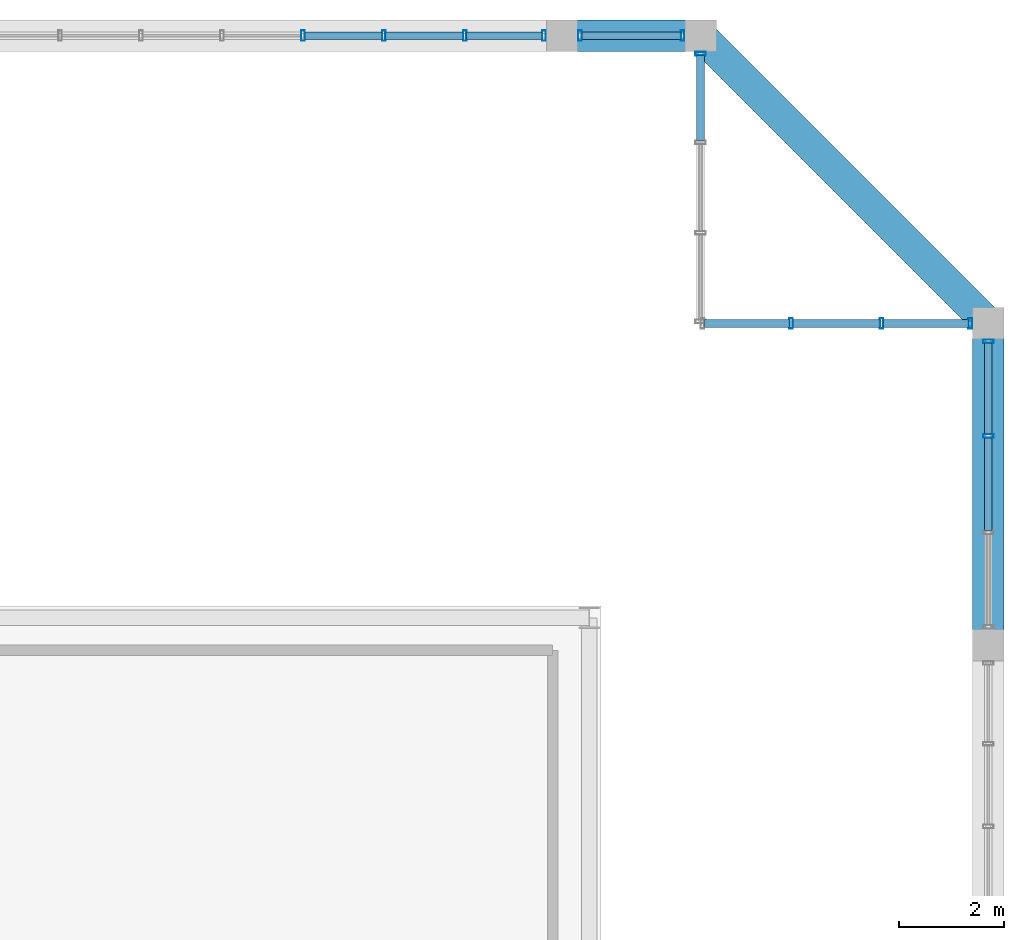
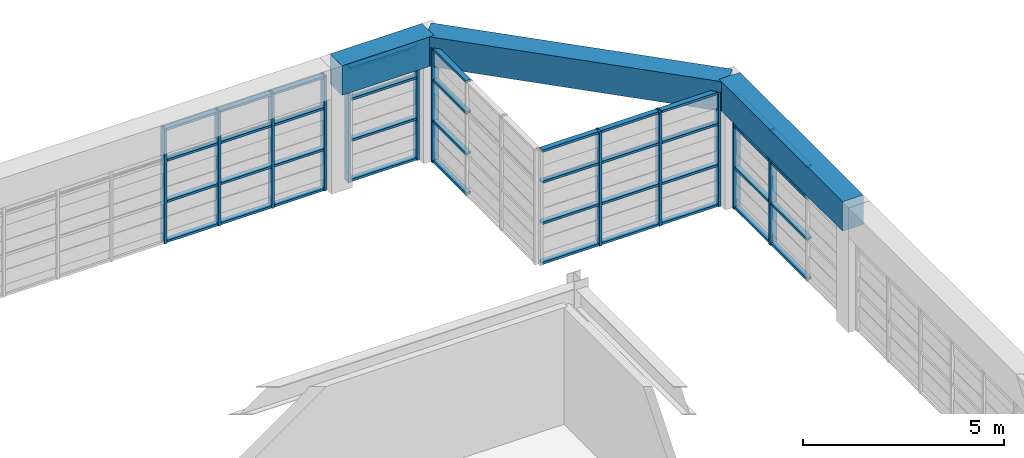
# One storey, part 19 of 27: 52 members, 3 beams, 5 elements without a shape of their own.
"""IFC4 building model written with IfcOpenShell, lengths in metres."""

from ifc_helpers import new_model, si_unit, direction, frame, origin, origin_2d, place, context, subcontext, project, spatial, rectangle, hollow_rectangle, extrude, source, transform, mapped, material, layer, layer_set, material_profile, profile_set, type_object, element, aggregate, save


model = new_model("IFC4")

# Units and contexts
model_context = context("Model", 3, precision=1e-05, world=origin(), true_north=direction((0.0, 1.0)))
body_context = subcontext(model_context, "Body", "Model", "MODEL_VIEW")
ifc_project = project(units=[si_unit("LENGTHUNIT", "METRE"), si_unit("AREAUNIT", "SQUARE_METRE"), si_unit("VOLUMEUNIT", "CUBIC_METRE"), si_unit("PLANEANGLEUNIT", "RADIAN"), si_unit("MASSUNIT", "GRAM", prefix="KILO")], contexts=[model_context])

# Site, building, storey
site_placement = place(None, origin())
site = spatial("IfcSite", under=ifc_project, at=site_placement, CompositionType="ELEMENT")
building_placement = place(site_placement, origin())
building = spatial("IfcBuilding", under=site, at=building_placement, Name="Saelheon Loggia Tower", CompositionType="ELEMENT")
storey_placement = place(building_placement, frame((0.0, 0.0, 256.0)))
storey = spatial("IfcBuildingStorey", under=building, at=storey_placement, Name="CR2", CompositionType="ELEMENT", Elevation=256.0)

# Beams
ifc_material_1 = material(Name="Precast Concrete C45/55", Category="concrete")
ifc_material_profile_1 = material_profile(ifc_material_1, rectangle(XDim=0.60009765625, YDim=0.89990234375, at=origin_2d()), Name="RC-600x900")
ifc_profile_set_1 = profile_set([ifc_material_profile_1], Name="Precast Concrete C45/55")
beam_type = type_object("IfcBeamType", Name="CrownFrame_Ring_RC600x900", PredefinedType="BEAM", material=ifc_profile_set_1)
shared_shape_1 = source(origin(), body_context, "Body", "SweptSolid", [
    extrude(rectangle(XDim=0.60009765625, YDim=0.89990234375, at=origin_2d()), origin(), (0.0, 0.0, 1.0), 2.64990234375),
])
beam_1_placement = place(storey_placement, frame((47.14990234375, 47.64990234375, 3.35009765625), z_axis=(-1.0, 0.0, 0.0), x_axis=(0.0, -1.0, 0.0)))
element("IfcBeam", 1, at=beam_1_placement, inside=storey, type_object=beam_type, Name="CR2 CROWN FRAME Ring Beam 09", PredefinedType="BEAM", context=body_context, shape_type="MappedRepresentation", body=[
    mapped(shared_shape_1, transform((0.0, 0.0, 0.0), scale=1.0)),
])
shared_shape_2 = source(origin(), body_context, "Body", "SweptSolid", [
    extrude(rectangle(XDim=0.60009765625, YDim=0.89990234375, at=origin_2d()), origin(), (0.0, 0.0, 1.0), 7.778076171875),
])
beam_2_placement = place(storey_placement, frame((52.64990234375, 42.14990234375, 3.35009765625), z_axis=(-0.707106781187, 0.707106781187, 0.0), x_axis=(-0.707106781187, -0.707106781187, 0.0)))
element("IfcBeam", 2, at=beam_2_placement, inside=storey, type_object=beam_type, Name="CR2 CROWN FRAME Ring Beam 08", PredefinedType="BEAM", context=body_context, shape_type="MappedRepresentation", body=[
    mapped(shared_shape_2, transform((0.0, 0.0, 0.0), scale=1.0)),
])
shared_shape_3 = source(origin(), body_context, "Body", "SweptSolid", [
    extrude(rectangle(XDim=0.60009765625, YDim=0.89990234375, at=origin_2d()), origin(), (0.0, 0.0, 1.0), 6.14990234375),
])
beam_3_placement = place(storey_placement, frame((52.64990234375, 36.0, 3.35009765625), z_axis=(0.0, 1.0, 0.0), x_axis=(-1.0, 0.0, 0.0)))
element("IfcBeam", 3, at=beam_3_placement, inside=storey, type_object=beam_type, Name="CR2 CROWN FRAME Ring Beam 07", PredefinedType="BEAM", context=body_context, shape_type="MappedRepresentation", body=[
    mapped(shared_shape_3, transform((0.0, 0.0, 0.0), scale=1.0)),
])

# Curtain wall, members
ifc_material_2 = material(Name="Bronze-Anodised Aluminium and Fritted Ceramic Screen", Category="aluminium")
ifc_layer = layer(ifc_material_2, 0.219970703125)
ifc_layer_set = layer_set([ifc_layer], Name="Bronze-Anodised Aluminium and Fritted Ceramic Screen")
curtain_wall_type = type_object("IfcCurtainWallType", Name="CW_CrownScreen", PredefinedType="NOTDEFINED", material=ifc_layer_set)
curtain_wall_1_placement = place(storey_placement, origin())
curtain_wall_1 = element("IfcCurtainWall", 4, at=curtain_wall_1_placement, inside=storey, type_object=curtain_wall_type, Name="CR2 Crown Screen Curtain Wall 3-3", PredefinedType="NOTDEFINED")
ifc_material_3 = material(Name="Bronze-Anodised Aluminium 6063-T6", Category="aluminium")
ifc_material_profile_2 = material_profile(ifc_material_3, hollow_rectangle(XDim=0.070068359375, YDim=0.199951171875, WallThickness=0.0048828125, at=origin_2d()), Name="RHS-200x70x5")
ifc_profile_set_2 = profile_set([ifc_material_profile_2], Name="Bronze-Anodised Aluminium 6063-T6")
member_type_1 = type_object("IfcMemberType", Name="CW_CrownScreen_Mullion", PredefinedType="MULLION", material=ifc_profile_set_2)
shared_shape_4 = source(origin(), body_context, "Body", "SweptSolid", [
    extrude(hollow_rectangle(XDim=0.070068359375, YDim=0.199951171875, WallThickness=0.0048828125, at=origin_2d()), origin(), (0.0, 0.0, 1.0), 3.47998046875),
])
member_1_placement = place(storey_placement, frame((52.64990234375, 39.99658203125, 0.0), z_axis=(0.0, 0.0, 1.0), x_axis=(0.0, 1.0, 0.0)))
member_1 = element("IfcMember", 5, at=member_1_placement, type_object=member_type_1, Name="CW6 mullion 3", PredefinedType="MULLION", context=body_context, shape_type="MappedRepresentation", body=[
    mapped(shared_shape_4, transform((0.0, 0.0, 0.0), scale=1.0)),
])
member_2_placement = place(storey_placement, frame((52.64990234375, 41.804931640625, 0.0), z_axis=(0.0, 0.0, 1.0), x_axis=(0.0, 1.0, 0.0)))
member_2 = element("IfcMember", 6, at=member_2_placement, type_object=member_type_1, Name="CW6 mullion 4", PredefinedType="MULLION", context=body_context, shape_type="MappedRepresentation", body=[
    mapped(shared_shape_4, transform((0.0, 0.0, 0.0), scale=1.0)),
])

curtain_wall_2_placement = place(storey_placement, origin())
curtain_wall_2 = element("IfcCurtainWall", 7, at=curtain_wall_2_placement, inside=storey, type_object=curtain_wall_type, Name="CR2 Crown Screen Curtain Wall 4-1", PredefinedType="NOTDEFINED")
member_3_placement = place(storey_placement, frame((52.304931640625, 42.14990234375, 0.0), z_axis=(0.0, 0.0, 1.0), x_axis=(-1.0, 0.0, 0.0)))
member_3 = element("IfcMember", 8, at=member_3_placement, type_object=member_type_1, Name="CW6 mullion 1", PredefinedType="MULLION", context=body_context, shape_type="MappedRepresentation", body=[
    mapped(shared_shape_4, transform((0.0, 0.0, 0.0), scale=1.0)),
])
member_4_placement = place(storey_placement, frame((50.610107421875, 42.14990234375, 0.0), z_axis=(0.0, 0.0, 1.0), x_axis=(-1.0, 0.0, 0.0)))
member_4 = element("IfcMember", 9, at=member_4_placement, type_object=member_type_1, Name="CW6 mullion 2", PredefinedType="MULLION", context=body_context, shape_type="MappedRepresentation", body=[
    mapped(shared_shape_4, transform((0.0, 0.0, 0.0), scale=1.0)),
])
member_5_placement = place(storey_placement, frame((48.8798828125, 42.14990234375, 0.0), z_axis=(0.0, 0.0, 1.0), x_axis=(-1.0, 0.0, 0.0)))
member_5 = element("IfcMember", 10, at=member_5_placement, type_object=member_type_1, Name="CW6 mullion 3", PredefinedType="MULLION", context=body_context, shape_type="MappedRepresentation", body=[
    mapped(shared_shape_4, transform((0.0, 0.0, 0.0), scale=1.0)),
])

# Curtain wall, member
curtain_wall_3_placement = place(storey_placement, origin())
curtain_wall_3 = element("IfcCurtainWall", 11, at=curtain_wall_3_placement, inside=storey, type_object=curtain_wall_type, Name="CR2 Crown Screen Curtain Wall 5-1", PredefinedType="NOTDEFINED")
member_6_placement = place(storey_placement, frame((47.14990234375, 47.304931640625, 0.0), z_axis=(0.0, 0.0, 1.0), x_axis=(0.0, 1.0, 0.0)))
member_6 = element("IfcMember", 12, at=member_6_placement, type_object=member_type_1, Name="CW6 mullion 4", PredefinedType="MULLION", context=body_context, shape_type="MappedRepresentation", body=[
    mapped(shared_shape_4, transform((0.0, 0.0, 0.0), scale=1.0)),
])

# Curtain wall, members
curtain_wall_4_placement = place(storey_placement, origin())
curtain_wall_4 = element("IfcCurtainWall", 13, at=curtain_wall_4_placement, inside=storey, type_object=curtain_wall_type, Name="CR2 Crown Screen Curtain Wall 6-1", PredefinedType="NOTDEFINED")
member_7_placement = place(storey_placement, frame((46.804931640625, 47.64990234375, 0.0), z_axis=(0.0, 0.0, 1.0), x_axis=(-1.0, 0.0, 0.0)))
member_7 = element("IfcMember", 14, at=member_7_placement, type_object=member_type_1, Name="CW6 mullion 1", PredefinedType="MULLION", context=body_context, shape_type="MappedRepresentation", body=[
    mapped(shared_shape_4, transform((0.0, 0.0, 0.0), scale=1.0)),
])
member_8_placement = place(storey_placement, frame((44.844970703125, 47.64990234375, 0.0), z_axis=(0.0, 0.0, 1.0), x_axis=(-1.0, 0.0, 0.0)))
member_8 = element("IfcMember", 15, at=member_8_placement, type_object=member_type_1, Name="CW6 mullion 2", PredefinedType="MULLION", context=body_context, shape_type="MappedRepresentation", body=[
    mapped(shared_shape_4, transform((0.0, 0.0, 0.0), scale=1.0)),
])

curtain_wall_5_placement = place(storey_placement, origin())
curtain_wall_5 = element("IfcCurtainWall", 16, at=curtain_wall_5_placement, inside=storey, type_object=curtain_wall_type, Name="CR2 Crown Screen Curtain Wall 6-2", PredefinedType="NOTDEFINED")
member_9_placement = place(storey_placement, frame((44.155029296875, 47.64990234375, 0.0), z_axis=(0.0, 0.0, 1.0), x_axis=(-1.0, 0.0, 0.0)))
member_9 = element("IfcMember", 17, at=member_9_placement, type_object=member_type_1, Name="CW6 mullion 1", PredefinedType="MULLION", context=body_context, shape_type="MappedRepresentation", body=[
    mapped(shared_shape_4, transform((0.0, 0.0, 0.0), scale=1.0)),
])
member_10_placement = place(storey_placement, frame((42.642578125, 47.64990234375, 0.0), z_axis=(0.0, 0.0, 1.0), x_axis=(-1.0, 0.0, 0.0)))
member_10 = element("IfcMember", 18, at=member_10_placement, type_object=member_type_1, Name="CW6 mullion 2", PredefinedType="MULLION", context=body_context, shape_type="MappedRepresentation", body=[
    mapped(shared_shape_4, transform((0.0, 0.0, 0.0), scale=1.0)),
])
member_11_placement = place(storey_placement, frame((41.094970703125, 47.64990234375, 0.0), z_axis=(0.0, 0.0, 1.0), x_axis=(-1.0, 0.0, 0.0)))
member_11 = element("IfcMember", 19, at=member_11_placement, type_object=member_type_1, Name="CW6 mullion 3", PredefinedType="MULLION", context=body_context, shape_type="MappedRepresentation", body=[
    mapped(shared_shape_4, transform((0.0, 0.0, 0.0), scale=1.0)),
])
member_12_placement = place(storey_placement, frame((39.547607421875, 47.64990234375, 0.0), z_axis=(0.0, 0.0, 1.0), x_axis=(-1.0, 0.0, 0.0)))
member_12 = element("IfcMember", 20, at=member_12_placement, type_object=member_type_1, Name="CW6 mullion 4", PredefinedType="MULLION", context=body_context, shape_type="MappedRepresentation", body=[
    mapped(shared_shape_4, transform((0.0, 0.0, 0.0), scale=1.0)),
])

# Member
ifc_material_profile_3 = material_profile(ifc_material_3, hollow_rectangle(XDim=0.070068359375, YDim=0.14990234375, WallThickness=0.0048828125, at=origin_2d()), Name="RHS-150x70x5")
ifc_profile_set_3 = profile_set([ifc_material_profile_3], Name="Bronze-Anodised Aluminium 6063-T6")
member_type_2 = type_object("IfcMemberType", Name="CW_CrownScreen_Transom", PredefinedType="USERDEFINED", material=ifc_profile_set_3)
shared_shape_5 = source(origin(), body_context, "Body", "SweptSolid", [
    extrude(hollow_rectangle(XDim=0.070068359375, YDim=0.14990234375, WallThickness=0.0048828125, at=origin_2d()), origin(), (0.0, 0.0, 1.0), 1.89013671875),
])
member_13_placement = place(storey_placement, frame((46.77001953125, 47.64990234375, 0.034912109375), z_axis=(-1.0, 0.0, 0.0), x_axis=(0.0, 0.0, 1.0)))
member_13 = element("IfcMember", 21, at=member_13_placement, type_object=member_type_2, Name="CW6 transom 1.1", ObjectType="TRANSOM", PredefinedType="USERDEFINED", context=body_context, shape_type="MappedRepresentation", body=[
    mapped(shared_shape_5, transform((0.0, 0.0, 0.0), scale=1.0)),
])

member_14_placement = place(storey_placement, frame((46.77001953125, 47.64990234375, 1.25), z_axis=(-1.0, 0.0, 0.0), x_axis=(0.0, 0.0, 1.0)))
member_14 = element("IfcMember", 22, at=member_14_placement, type_object=member_type_2, Name="CW6 transom 1.2", ObjectType="TRANSOM", PredefinedType="USERDEFINED", context=body_context, shape_type="MappedRepresentation", body=[
    mapped(shared_shape_5, transform((0.0, 0.0, 0.0), scale=1.0)),
])

member_15_placement = place(storey_placement, frame((46.77001953125, 47.64990234375, 2.5), z_axis=(-1.0, 0.0, 0.0), x_axis=(0.0, 0.0, 1.0)))
member_15 = element("IfcMember", 23, at=member_15_placement, type_object=member_type_2, Name="CW6 transom 1.3", ObjectType="TRANSOM", PredefinedType="USERDEFINED", context=body_context, shape_type="MappedRepresentation", body=[
    mapped(shared_shape_5, transform((0.0, 0.0, 0.0), scale=1.0)),
])

member_16_placement = place(storey_placement, frame((46.77001953125, 47.64990234375, 3.445068359375), z_axis=(-1.0, 0.0, 0.0), x_axis=(0.0, 0.0, 1.0)))
member_16 = element("IfcMember", 24, at=member_16_placement, type_object=member_type_2, Name="CW6 transom 1.4", ObjectType="TRANSOM", PredefinedType="USERDEFINED", context=body_context, shape_type="MappedRepresentation", body=[
    mapped(shared_shape_5, transform((0.0, 0.0, 0.0), scale=1.0)),
])

aggregate(curtain_wall_4, [member_7, member_8, member_13, member_14, member_15, member_16])

shared_shape_6 = source(origin(), body_context, "Body", "SweptSolid", [
    extrude(hollow_rectangle(XDim=0.070068359375, YDim=0.14990234375, WallThickness=0.0048828125, at=origin_2d()), origin(), (0.0, 0.0, 1.0), 1.442626953125),
])
member_17_placement = place(storey_placement, frame((44.1201171875, 47.64990234375, 0.034912109375), z_axis=(-1.0, 0.0, 0.0), x_axis=(0.0, 0.0, 1.0)))
member_17 = element("IfcMember", 25, at=member_17_placement, type_object=member_type_2, Name="CW6 transom 1.1", ObjectType="TRANSOM", PredefinedType="USERDEFINED", context=body_context, shape_type="MappedRepresentation", body=[
    mapped(shared_shape_6, transform((0.0, 0.0, 0.0), scale=1.0)),
])

member_18_placement = place(storey_placement, frame((44.1201171875, 47.64990234375, 1.25), z_axis=(-1.0, 0.0, 0.0), x_axis=(0.0, 0.0, 1.0)))
member_18 = element("IfcMember", 26, at=member_18_placement, type_object=member_type_2, Name="CW6 transom 1.2", ObjectType="TRANSOM", PredefinedType="USERDEFINED", context=body_context, shape_type="MappedRepresentation", body=[
    mapped(shared_shape_6, transform((0.0, 0.0, 0.0), scale=1.0)),
])

member_19_placement = place(storey_placement, frame((44.1201171875, 47.64990234375, 2.5), z_axis=(-1.0, 0.0, 0.0), x_axis=(0.0, 0.0, 1.0)))
member_19 = element("IfcMember", 27, at=member_19_placement, type_object=member_type_2, Name="CW6 transom 1.3", ObjectType="TRANSOM", PredefinedType="USERDEFINED", context=body_context, shape_type="MappedRepresentation", body=[
    mapped(shared_shape_6, transform((0.0, 0.0, 0.0), scale=1.0)),
])

member_20_placement = place(storey_placement, frame((44.1201171875, 47.64990234375, 3.445068359375), z_axis=(-1.0, 0.0, 0.0), x_axis=(0.0, 0.0, 1.0)))
member_20 = element("IfcMember", 28, at=member_20_placement, type_object=member_type_2, Name="CW6 transom 1.4", ObjectType="TRANSOM", PredefinedType="USERDEFINED", context=body_context, shape_type="MappedRepresentation", body=[
    mapped(shared_shape_6, transform((0.0, 0.0, 0.0), scale=1.0)),
])

shared_shape_7 = source(origin(), body_context, "Body", "SweptSolid", [
    extrude(hollow_rectangle(XDim=0.070068359375, YDim=0.14990234375, WallThickness=0.0048828125, at=origin_2d()), origin(), (0.0, 0.0, 1.0), 1.4775390625),
])
member_21_placement = place(storey_placement, frame((42.607421875, 47.64990234375, 0.034912109375), z_axis=(-1.0, 0.0, 0.0), x_axis=(0.0, 0.0, 1.0)))
member_21 = element("IfcMember", 29, at=member_21_placement, type_object=member_type_2, Name="CW6 transom 2.1", ObjectType="TRANSOM", PredefinedType="USERDEFINED", context=body_context, shape_type="MappedRepresentation", body=[
    mapped(shared_shape_7, transform((0.0, 0.0, 0.0), scale=1.0)),
])

member_22_placement = place(storey_placement, frame((42.607421875, 47.64990234375, 1.25), z_axis=(-1.0, 0.0, 0.0), x_axis=(0.0, 0.0, 1.0)))
member_22 = element("IfcMember", 30, at=member_22_placement, type_object=member_type_2, Name="CW6 transom 2.2", ObjectType="TRANSOM", PredefinedType="USERDEFINED", context=body_context, shape_type="MappedRepresentation", body=[
    mapped(shared_shape_7, transform((0.0, 0.0, 0.0), scale=1.0)),
])

member_23_placement = place(storey_placement, frame((42.607421875, 47.64990234375, 2.5), z_axis=(-1.0, 0.0, 0.0), x_axis=(0.0, 0.0, 1.0)))
member_23 = element("IfcMember", 31, at=member_23_placement, type_object=member_type_2, Name="CW6 transom 2.3", ObjectType="TRANSOM", PredefinedType="USERDEFINED", context=body_context, shape_type="MappedRepresentation", body=[
    mapped(shared_shape_7, transform((0.0, 0.0, 0.0), scale=1.0)),
])

member_24_placement = place(storey_placement, frame((42.607421875, 47.64990234375, 3.445068359375), z_axis=(-1.0, 0.0, 0.0), x_axis=(0.0, 0.0, 1.0)))
member_24 = element("IfcMember", 32, at=member_24_placement, type_object=member_type_2, Name="CW6 transom 2.4", ObjectType="TRANSOM", PredefinedType="USERDEFINED", context=body_context, shape_type="MappedRepresentation", body=[
    mapped(shared_shape_7, transform((0.0, 0.0, 0.0), scale=1.0)),
])

member_25_placement = place(storey_placement, frame((41.06005859375, 47.64990234375, 0.034912109375), z_axis=(-1.0, 0.0, 0.0), x_axis=(0.0, 0.0, 1.0)))
member_25 = element("IfcMember", 33, at=member_25_placement, type_object=member_type_2, Name="CW6 transom 3.1", ObjectType="TRANSOM", PredefinedType="USERDEFINED", context=body_context, shape_type="MappedRepresentation", body=[
    mapped(shared_shape_7, transform((0.0, 0.0, 0.0), scale=1.0)),
])

member_26_placement = place(storey_placement, frame((41.06005859375, 47.64990234375, 1.25), z_axis=(-1.0, 0.0, 0.0), x_axis=(0.0, 0.0, 1.0)))
member_26 = element("IfcMember", 34, at=member_26_placement, type_object=member_type_2, Name="CW6 transom 3.2", ObjectType="TRANSOM", PredefinedType="USERDEFINED", context=body_context, shape_type="MappedRepresentation", body=[
    mapped(shared_shape_7, transform((0.0, 0.0, 0.0), scale=1.0)),
])

member_27_placement = place(storey_placement, frame((41.06005859375, 47.64990234375, 2.5), z_axis=(-1.0, 0.0, 0.0), x_axis=(0.0, 0.0, 1.0)))
member_27 = element("IfcMember", 35, at=member_27_placement, type_object=member_type_2, Name="CW6 transom 3.3", ObjectType="TRANSOM", PredefinedType="USERDEFINED", context=body_context, shape_type="MappedRepresentation", body=[
    mapped(shared_shape_7, transform((0.0, 0.0, 0.0), scale=1.0)),
])

member_28_placement = place(storey_placement, frame((41.06005859375, 47.64990234375, 3.445068359375), z_axis=(-1.0, 0.0, 0.0), x_axis=(0.0, 0.0, 1.0)))
member_28 = element("IfcMember", 36, at=member_28_placement, type_object=member_type_2, Name="CW6 transom 3.4", ObjectType="TRANSOM", PredefinedType="USERDEFINED", context=body_context, shape_type="MappedRepresentation", body=[
    mapped(shared_shape_7, transform((0.0, 0.0, 0.0), scale=1.0)),
])

aggregate(curtain_wall_5, [member_9, member_10, member_11, member_12, member_17, member_18, member_19, member_20, member_21, member_22, member_23, member_24, member_25, member_26, member_27, member_28])

shared_shape_8 = source(origin(), body_context, "Body", "SweptSolid", [
    extrude(hollow_rectangle(XDim=0.070068359375, YDim=0.14990234375, WallThickness=0.0048828125, at=origin_2d()), origin(), (0.0, 0.0, 1.0), 1.625),
])
member_29_placement = place(storey_placement, frame((52.27001953125, 42.14990234375, 0.034912109375), z_axis=(-1.0, 0.0, 0.0), x_axis=(0.0, 0.0, 1.0)))
member_29 = element("IfcMember", 37, at=member_29_placement, type_object=member_type_2, Name="CW6 transom 1.1", ObjectType="TRANSOM", PredefinedType="USERDEFINED", context=body_context, shape_type="MappedRepresentation", body=[
    mapped(shared_shape_8, transform((0.0, 0.0, 0.0), scale=1.0)),
])

member_30_placement = place(storey_placement, frame((52.27001953125, 42.14990234375, 1.25), z_axis=(-1.0, 0.0, 0.0), x_axis=(0.0, 0.0, 1.0)))
member_30 = element("IfcMember", 38, at=member_30_placement, type_object=member_type_2, Name="CW6 transom 1.2", ObjectType="TRANSOM", PredefinedType="USERDEFINED", context=body_context, shape_type="MappedRepresentation", body=[
    mapped(shared_shape_8, transform((0.0, 0.0, 0.0), scale=1.0)),
])

member_31_placement = place(storey_placement, frame((52.27001953125, 42.14990234375, 2.5), z_axis=(-1.0, 0.0, 0.0), x_axis=(0.0, 0.0, 1.0)))
member_31 = element("IfcMember", 39, at=member_31_placement, type_object=member_type_2, Name="CW6 transom 1.3", ObjectType="TRANSOM", PredefinedType="USERDEFINED", context=body_context, shape_type="MappedRepresentation", body=[
    mapped(shared_shape_8, transform((0.0, 0.0, 0.0), scale=1.0)),
])

member_32_placement = place(storey_placement, frame((52.27001953125, 42.14990234375, 3.445068359375), z_axis=(-1.0, 0.0, 0.0), x_axis=(0.0, 0.0, 1.0)))
member_32 = element("IfcMember", 40, at=member_32_placement, type_object=member_type_2, Name="CW6 transom 1.4", ObjectType="TRANSOM", PredefinedType="USERDEFINED", context=body_context, shape_type="MappedRepresentation", body=[
    mapped(shared_shape_8, transform((0.0, 0.0, 0.0), scale=1.0)),
])

member_33_placement = place(storey_placement, frame((48.844970703125, 42.14990234375, 0.034912109375), z_axis=(-1.0, 0.0, 0.0), x_axis=(0.0, 0.0, 1.0)))
member_33 = element("IfcMember", 41, at=member_33_placement, type_object=member_type_2, Name="CW6 transom 3.1", ObjectType="TRANSOM", PredefinedType="USERDEFINED", context=body_context, shape_type="MappedRepresentation", body=[
    mapped(shared_shape_8, transform((0.0, 0.0, 0.0), scale=1.0)),
])

member_34_placement = place(storey_placement, frame((48.844970703125, 42.14990234375, 1.25), z_axis=(-1.0, 0.0, 0.0), x_axis=(0.0, 0.0, 1.0)))
member_34 = element("IfcMember", 42, at=member_34_placement, type_object=member_type_2, Name="CW6 transom 3.2", ObjectType="TRANSOM", PredefinedType="USERDEFINED", context=body_context, shape_type="MappedRepresentation", body=[
    mapped(shared_shape_8, transform((0.0, 0.0, 0.0), scale=1.0)),
])

member_35_placement = place(storey_placement, frame((48.844970703125, 42.14990234375, 2.5), z_axis=(-1.0, 0.0, 0.0), x_axis=(0.0, 0.0, 1.0)))
member_35 = element("IfcMember", 43, at=member_35_placement, type_object=member_type_2, Name="CW6 transom 3.3", ObjectType="TRANSOM", PredefinedType="USERDEFINED", context=body_context, shape_type="MappedRepresentation", body=[
    mapped(shared_shape_8, transform((0.0, 0.0, 0.0), scale=1.0)),
])

member_36_placement = place(storey_placement, frame((48.844970703125, 42.14990234375, 3.445068359375), z_axis=(-1.0, 0.0, 0.0), x_axis=(0.0, 0.0, 1.0)))
member_36 = element("IfcMember", 44, at=member_36_placement, type_object=member_type_2, Name="CW6 transom 3.4", ObjectType="TRANSOM", PredefinedType="USERDEFINED", context=body_context, shape_type="MappedRepresentation", body=[
    mapped(shared_shape_8, transform((0.0, 0.0, 0.0), scale=1.0)),
])

member_37_placement = place(storey_placement, frame((47.14990234375, 45.64501953125, 0.034912109375), z_axis=(0.0, 1.0, 0.0), x_axis=(0.0, 0.0, 1.0)))
member_37 = element("IfcMember", 45, at=member_37_placement, type_object=member_type_2, Name="CW6 transom 3.1", ObjectType="TRANSOM", PredefinedType="USERDEFINED", context=body_context, shape_type="MappedRepresentation", body=[
    mapped(shared_shape_8, transform((0.0, 0.0, 0.0), scale=1.0)),
])

member_38_placement = place(storey_placement, frame((47.14990234375, 45.64501953125, 1.25), z_axis=(0.0, 1.0, 0.0), x_axis=(0.0, 0.0, 1.0)))
member_38 = element("IfcMember", 46, at=member_38_placement, type_object=member_type_2, Name="CW6 transom 3.2", ObjectType="TRANSOM", PredefinedType="USERDEFINED", context=body_context, shape_type="MappedRepresentation", body=[
    mapped(shared_shape_8, transform((0.0, 0.0, 0.0), scale=1.0)),
])

member_39_placement = place(storey_placement, frame((47.14990234375, 45.64501953125, 2.5), z_axis=(0.0, 1.0, 0.0), x_axis=(0.0, 0.0, 1.0)))
member_39 = element("IfcMember", 47, at=member_39_placement, type_object=member_type_2, Name="CW6 transom 3.3", ObjectType="TRANSOM", PredefinedType="USERDEFINED", context=body_context, shape_type="MappedRepresentation", body=[
    mapped(shared_shape_8, transform((0.0, 0.0, 0.0), scale=1.0)),
])

member_40_placement = place(storey_placement, frame((47.14990234375, 45.64501953125, 3.445068359375), z_axis=(0.0, 1.0, 0.0), x_axis=(0.0, 0.0, 1.0)))
member_40 = element("IfcMember", 48, at=member_40_placement, type_object=member_type_2, Name="CW6 transom 3.4", ObjectType="TRANSOM", PredefinedType="USERDEFINED", context=body_context, shape_type="MappedRepresentation", body=[
    mapped(shared_shape_8, transform((0.0, 0.0, 0.0), scale=1.0)),
])

aggregate(curtain_wall_3, [member_6, member_37, member_38, member_39, member_40])

shared_shape_9 = source(origin(), body_context, "Body", "SweptSolid", [
    extrude(hollow_rectangle(XDim=0.070068359375, YDim=0.14990234375, WallThickness=0.0048828125, at=origin_2d()), origin(), (0.0, 0.0, 1.0), 1.659912109375),
])
member_41_placement = place(storey_placement, frame((50.574951171875, 42.14990234375, 0.034912109375), z_axis=(-1.0, 0.0, 0.0), x_axis=(0.0, 0.0, 1.0)))
member_41 = element("IfcMember", 49, at=member_41_placement, type_object=member_type_2, Name="CW6 transom 2.1", ObjectType="TRANSOM", PredefinedType="USERDEFINED", context=body_context, shape_type="MappedRepresentation", body=[
    mapped(shared_shape_9, transform((0.0, 0.0, 0.0), scale=1.0)),
])

member_42_placement = place(storey_placement, frame((50.574951171875, 42.14990234375, 1.25), z_axis=(-1.0, 0.0, 0.0), x_axis=(0.0, 0.0, 1.0)))
member_42 = element("IfcMember", 50, at=member_42_placement, type_object=member_type_2, Name="CW6 transom 2.2", ObjectType="TRANSOM", PredefinedType="USERDEFINED", context=body_context, shape_type="MappedRepresentation", body=[
    mapped(shared_shape_9, transform((0.0, 0.0, 0.0), scale=1.0)),
])

member_43_placement = place(storey_placement, frame((50.574951171875, 42.14990234375, 2.5), z_axis=(-1.0, 0.0, 0.0), x_axis=(0.0, 0.0, 1.0)))
member_43 = element("IfcMember", 51, at=member_43_placement, type_object=member_type_2, Name="CW6 transom 2.3", ObjectType="TRANSOM", PredefinedType="USERDEFINED", context=body_context, shape_type="MappedRepresentation", body=[
    mapped(shared_shape_9, transform((0.0, 0.0, 0.0), scale=1.0)),
])

member_44_placement = place(storey_placement, frame((50.574951171875, 42.14990234375, 3.445068359375), z_axis=(-1.0, 0.0, 0.0), x_axis=(0.0, 0.0, 1.0)))
member_44 = element("IfcMember", 52, at=member_44_placement, type_object=member_type_2, Name="CW6 transom 2.4", ObjectType="TRANSOM", PredefinedType="USERDEFINED", context=body_context, shape_type="MappedRepresentation", body=[
    mapped(shared_shape_9, transform((0.0, 0.0, 0.0), scale=1.0)),
])

aggregate(curtain_wall_2, [member_3, member_4, member_5, member_29, member_30, member_31, member_32, member_41, member_42, member_43, member_44, member_33, member_34, member_35, member_36])

shared_shape_10 = source(origin(), body_context, "Body", "SweptSolid", [
    extrude(hollow_rectangle(XDim=0.070068359375, YDim=0.14990234375, WallThickness=0.0048828125, at=origin_2d()), origin(), (0.0, 0.0, 1.0), 1.73828125),
])
member_45_placement = place(storey_placement, frame((52.64990234375, 40.03173828125, 0.034912109375), z_axis=(0.0, 1.0, 0.0), x_axis=(0.0, 0.0, 1.0)))
member_45 = element("IfcMember", 53, at=member_45_placement, type_object=member_type_2, Name="CW6 transom 3.1", ObjectType="TRANSOM", PredefinedType="USERDEFINED", context=body_context, shape_type="MappedRepresentation", body=[
    mapped(shared_shape_10, transform((0.0, 0.0, 0.0), scale=1.0)),
])

member_46_placement = place(storey_placement, frame((52.64990234375, 40.03173828125, 1.25), z_axis=(0.0, 1.0, 0.0), x_axis=(0.0, 0.0, 1.0)))
member_46 = element("IfcMember", 54, at=member_46_placement, type_object=member_type_2, Name="CW6 transom 3.2", ObjectType="TRANSOM", PredefinedType="USERDEFINED", context=body_context, shape_type="MappedRepresentation", body=[
    mapped(shared_shape_10, transform((0.0, 0.0, 0.0), scale=1.0)),
])

member_47_placement = place(storey_placement, frame((52.64990234375, 40.03173828125, 2.5), z_axis=(0.0, 1.0, 0.0), x_axis=(0.0, 0.0, 1.0)))
member_47 = element("IfcMember", 55, at=member_47_placement, type_object=member_type_2, Name="CW6 transom 3.3", ObjectType="TRANSOM", PredefinedType="USERDEFINED", context=body_context, shape_type="MappedRepresentation", body=[
    mapped(shared_shape_10, transform((0.0, 0.0, 0.0), scale=1.0)),
])

member_48_placement = place(storey_placement, frame((52.64990234375, 40.03173828125, 3.445068359375), z_axis=(0.0, 1.0, 0.0), x_axis=(0.0, 0.0, 1.0)))
member_48 = element("IfcMember", 56, at=member_48_placement, type_object=member_type_2, Name="CW6 transom 3.4", ObjectType="TRANSOM", PredefinedType="USERDEFINED", context=body_context, shape_type="MappedRepresentation", body=[
    mapped(shared_shape_10, transform((0.0, 0.0, 0.0), scale=1.0)),
])

shared_shape_11 = source(origin(), body_context, "Body", "SweptSolid", [
    extrude(hollow_rectangle(XDim=0.070068359375, YDim=0.14990234375, WallThickness=0.0048828125, at=origin_2d()), origin(), (0.0, 0.0, 1.0), 1.7734375),
])
member_49_placement = place(storey_placement, frame((52.64990234375, 38.188232421875, 0.034912109375), z_axis=(0.0, 1.0, 0.0), x_axis=(0.0, 0.0, 1.0)))
member_49 = element("IfcMember", 57, at=member_49_placement, type_object=member_type_2, Name="CW6 transom 2.1", ObjectType="TRANSOM", PredefinedType="USERDEFINED", context=body_context, shape_type="MappedRepresentation", body=[
    mapped(shared_shape_11, transform((0.0, 0.0, 0.0), scale=1.0)),
])

member_50_placement = place(storey_placement, frame((52.64990234375, 38.188232421875, 1.25), z_axis=(0.0, 1.0, 0.0), x_axis=(0.0, 0.0, 1.0)))
member_50 = element("IfcMember", 58, at=member_50_placement, type_object=member_type_2, Name="CW6 transom 2.2", ObjectType="TRANSOM", PredefinedType="USERDEFINED", context=body_context, shape_type="MappedRepresentation", body=[
    mapped(shared_shape_11, transform((0.0, 0.0, 0.0), scale=1.0)),
])

member_51_placement = place(storey_placement, frame((52.64990234375, 38.188232421875, 2.5), z_axis=(0.0, 1.0, 0.0), x_axis=(0.0, 0.0, 1.0)))
member_51 = element("IfcMember", 59, at=member_51_placement, type_object=member_type_2, Name="CW6 transom 2.3", ObjectType="TRANSOM", PredefinedType="USERDEFINED", context=body_context, shape_type="MappedRepresentation", body=[
    mapped(shared_shape_11, transform((0.0, 0.0, 0.0), scale=1.0)),
])

member_52_placement = place(storey_placement, frame((52.64990234375, 38.188232421875, 3.445068359375), z_axis=(0.0, 1.0, 0.0), x_axis=(0.0, 0.0, 1.0)))
member_52 = element("IfcMember", 60, at=member_52_placement, type_object=member_type_2, Name="CW6 transom 2.4", ObjectType="TRANSOM", PredefinedType="USERDEFINED", context=body_context, shape_type="MappedRepresentation", body=[
    mapped(shared_shape_11, transform((0.0, 0.0, 0.0), scale=1.0)),
])

aggregate(curtain_wall_1, [member_1, member_2, member_49, member_50, member_51, member_52, member_45, member_46, member_47, member_48])

save(model, "model.ifc")
